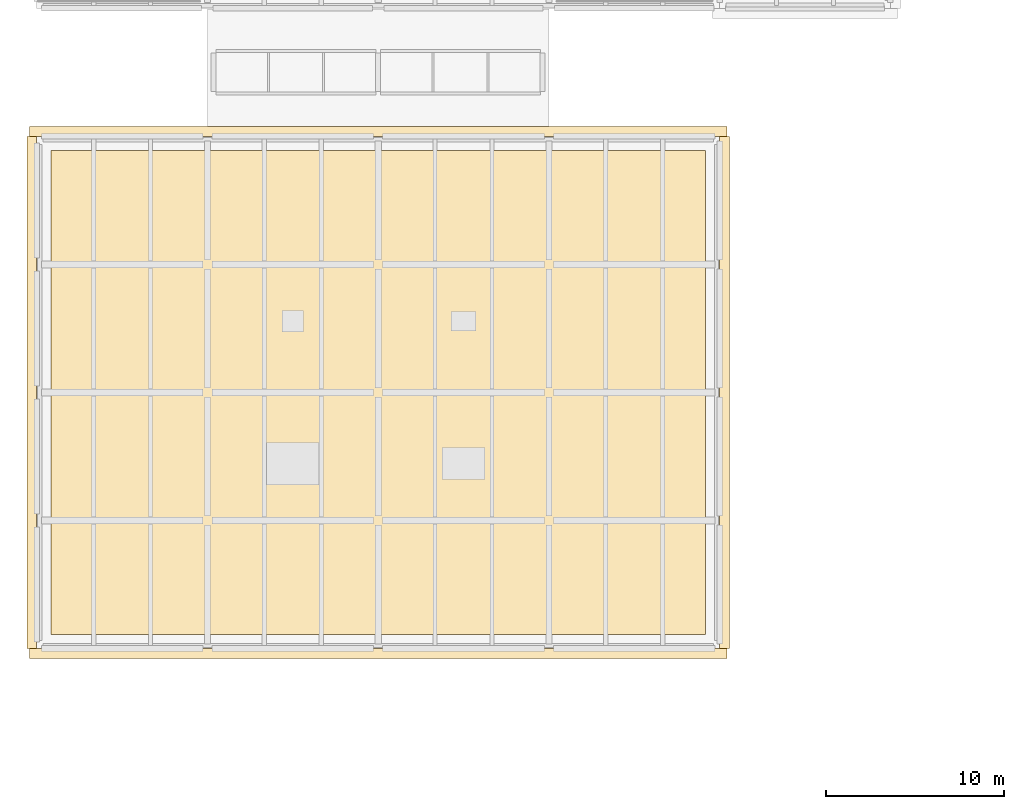
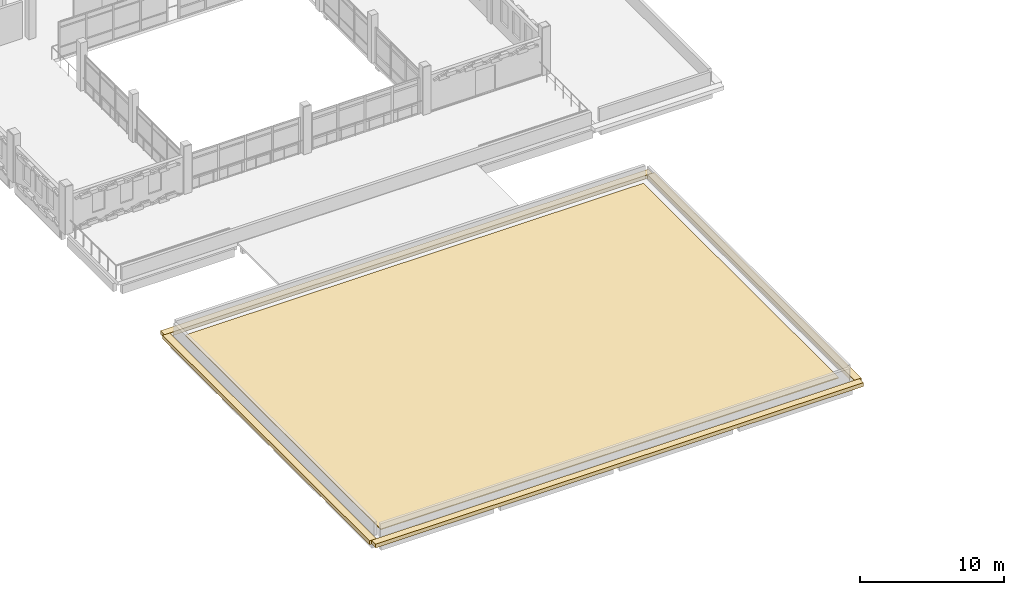
# One storey, part 42 of 50: 5 coverings.
"""IFC4 building model written with IfcOpenShell, lengths in metres."""

from ifc_helpers import new_model, si_unit, direction, frame, origin, origin_2d, place, context, subcontext, project, spatial, polyline, rectangle, outline, extrude, material, layer, layer_set, type_object, element, save


model = new_model("IFC4")

# Units and contexts
model_context = context("Model", 3, precision=1e-05, world=origin(), true_north=direction((0.0, 1.0)))
body_context = subcontext(model_context, "Body", "Model", "MODEL_VIEW")
ifc_project = project(units=[si_unit("LENGTHUNIT", "METRE"), si_unit("AREAUNIT", "SQUARE_METRE"), si_unit("VOLUMEUNIT", "CUBIC_METRE"), si_unit("PLANEANGLEUNIT", "RADIAN"), si_unit("MASSUNIT", "GRAM", prefix="KILO")], contexts=[model_context])

# Site, building, storey
site_placement = place(None, origin())
site = spatial("IfcSite", under=ifc_project, at=site_placement, CompositionType="ELEMENT")
building_placement = place(site_placement, origin())
building = spatial("IfcBuilding", under=site, at=building_placement, Name="Asteropetra Specialist Clinic", CompositionType="ELEMENT")
storey_placement = place(building_placement, frame((0.0, 0.0, 16.659912109375)))
storey = spatial("IfcBuildingStorey", under=building, at=storey_placement, Name="L04", CompositionType="ELEMENT", Elevation=16.659912109375)

# Coverings
ifc_material_1 = material(Name="Pentelic marble ashlar", Category="masonry")
ifc_layer_1 = layer(ifc_material_1, 0.159912109375)
ifc_layer_set_1 = layer_set([ifc_layer_1], Name="Pentelic marble ashlar")
covering_type_1 = type_object("IfcCoveringType", Name="CRN-ENTAB-600", PredefinedType="MOLDING", material=ifc_layer_set_1)
for number, where, z_axis, x_axis, name in (
    (1, (19.199951171875, 33.320068359375, -0.27978515625), (0.0, 0.0, 1.0), (1.0, 0.0, 0.0), "Classical Entablature Cornice EC-027"),
    (2, (19.199951171875, 62.679931640625, -0.27978515625), (0.0, 0.0, 1.0), (1.0, 0.0, 0.0), "Classical Entablature Cornice EC-028"),
):
    element("IfcCovering", number, at=place(storey_placement, frame(where, z_axis=z_axis, x_axis=x_axis)), inside=storey, type_object=covering_type_1, Name=name, PredefinedType="MOLDING", context=body_context, shape_type="SweptSolid", body=[
        extrude(rectangle(XDim=39.199951171875, YDim=0.56005859375, at=origin_2d()), origin(), (0.0, 0.0, 1.0), 0.320068359375),
    ])
for number, where, z_axis, x_axis, name in (
    (3, (-0.280029296875, 48.0, -0.27978515625), (0.0, 0.0, 1.0), (1.0, 0.0, 0.0), "Classical Entablature Cornice EC-029"),
    (4, (38.679931640625, 48.0, -0.27978515625), (0.0, 0.0, 1.0), (1.0, 0.0, 0.0), "Classical Entablature Cornice EC-030"),
):
    element("IfcCovering", number, at=place(storey_placement, frame(where, z_axis=z_axis, x_axis=x_axis)), inside=storey, type_object=covering_type_1, Name=name, PredefinedType="MOLDING", context=body_context, shape_type="SweptSolid", body=[
        extrude(rectangle(XDim=0.56005859375, YDim=28.800048828125, at=origin_2d()), origin(), (0.0, 0.0, 1.0), 0.320068359375),
    ])
ifc_material_2 = material(Name="Reflective cool-roof membrane")
ifc_layer_2 = layer(ifc_material_2, 0.080078125)
ifc_layer_set_2 = layer_set([ifc_layer_2], Name="Reflective cool-roof membrane")
covering_type_2 = type_object("IfcCoveringType", Name="RFG-MEMB-FLAT", PredefinedType="ROOFING", material=ifc_layer_set_2)
covering_placement = place(storey_placement, origin())
element("IfcCovering", 5, at=covering_placement, inside=storey, type_object=covering_type_2, Name="Roof Covering RFG-V5-TOP", PredefinedType="ROOFING", context=body_context, shape_type="SweptSolid", body=[
    extrude(outline(polyline([(0.800048828125, 34.39990234375), (37.60009765625, 34.39990234375), (37.60009765625, 61.60009765625), (0.800048828125, 61.60009765625), (0.800048828125, 34.39990234375)])), origin(), (0.0, 0.0, 1.0), 0.080078125),
])

save(model, "model.ifc")
